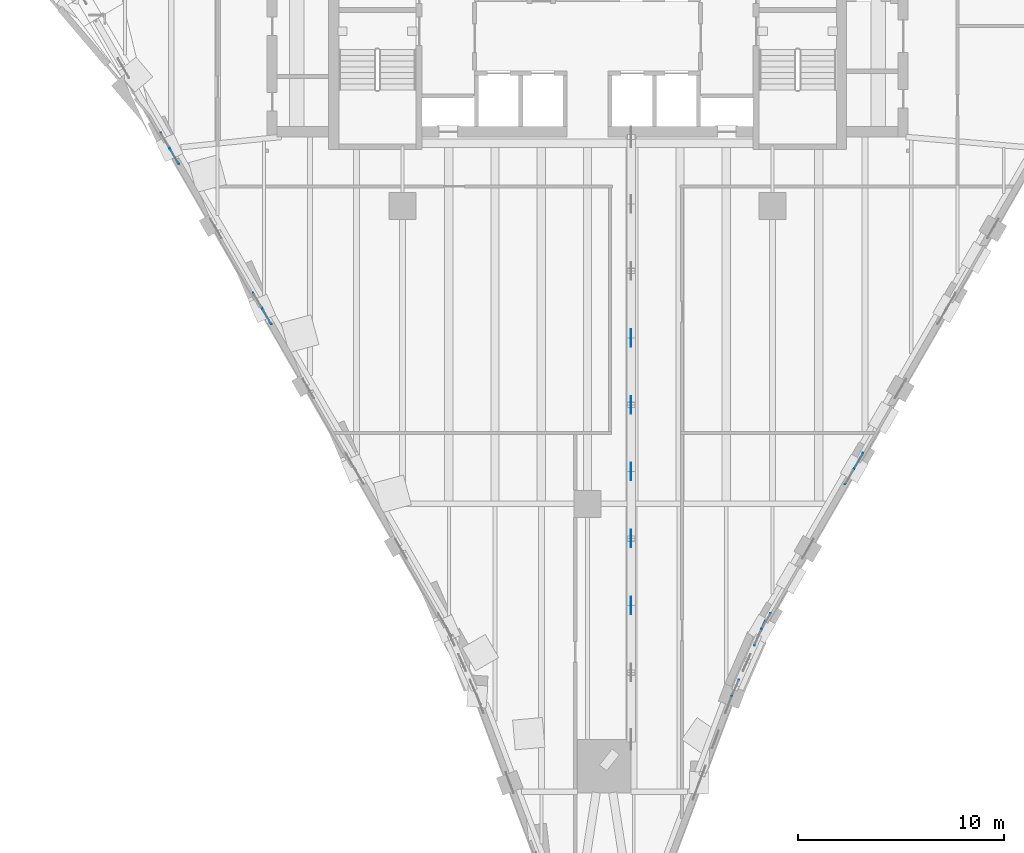
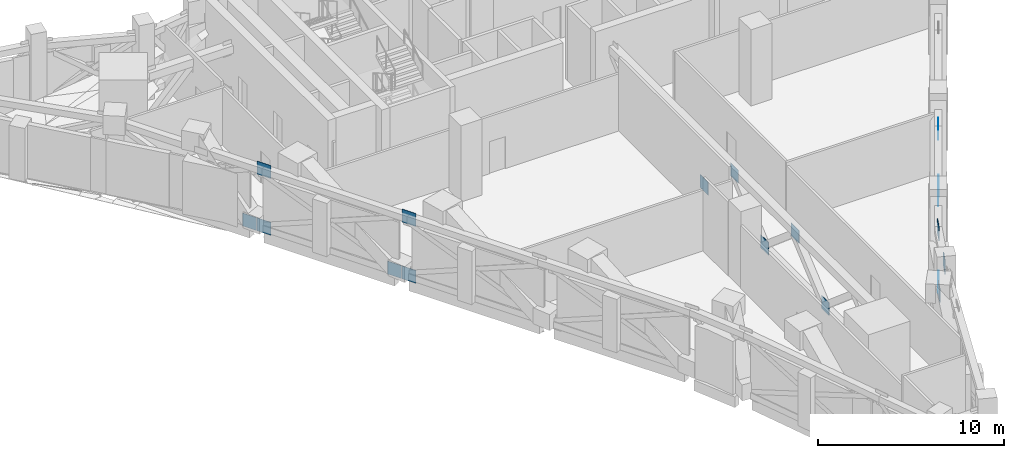
# One storey, part 14 of 22: 18 discrete accessories.
"""IFC4 building model written with IfcOpenShell, lengths in metres."""

import ifcopenshell
import ifcopenshell.guid

model = None  # the IFC model being written
_history = None  # IfcOwnerHistory: only IFC2X3 demands one
_inside = {}  # id of a spatial element -> (the spatial element, [elements in it])
_under = {}  # id of a project, library or spatial element -> (it, [spatial elements below it])
_declared = {}  # id of a project -> (the project, [libraries it declares])
_typed = {}  # id of a type object -> (the type object, [elements of that type])
_made_of = {}  # id of a material, layer set ... -> (it, [elements and type objects made of it])


def new_model(schema):
    """Start an empty IFC model of exactly this schema.

    Asked for "IFC4X3", IfcOpenShell would pick the latest addendum, in which some entities
    have other attributes; the version numbers below select the first issue.
    IFC2X3 requires an IfcOwnerHistory on every rooted entity: one is made here for all.
    """
    global model, _history
    if schema == "IFC4X3":
        model = ifcopenshell.file(schema_version=(4, 3, 0, 0))
    else:
        model = ifcopenshell.file(schema=schema)
    _inside.clear()
    _under.clear()
    _declared.clear()
    _typed.clear()
    _made_of.clear()
    _history = None
    if model.schema == "IFC2X3":
        org = make("IfcOrganization", Name="unknown")
        user = make(
            "IfcPersonAndOrganization",
            ThePerson=make("IfcPerson", FamilyName="unknown"),
            TheOrganization=org,
        )
        app = make(
            "IfcApplication",
            ApplicationDeveloper=org,
            Version="unknown",
            ApplicationFullName="unknown",
            ApplicationIdentifier="unknown",
        )
        _history = make(
            "IfcOwnerHistory",
            OwningUser=user,
            OwningApplication=app,
            ChangeAction="ADDED",
            CreationDate=0,
        )
    return model


def make(cls, **values):
    """One entity of the class cls with the attributes given. An attribute that is None is left unset."""
    return model.create_entity(
        cls, **{name: value for name, value in values.items() if value is not None}
    )


def rooted(cls, **values):
    """An entity with a GlobalId (a new one), such as an element, a storey or a relation."""
    return make(cls, GlobalId=ifcopenshell.guid.new(), OwnerHistory=_history, **values)


def si_unit(unit_type, name, prefix=None):
    """IfcSIUnit, for example si_unit("LENGTHUNIT", "METRE", prefix="MILLI")."""
    return make("IfcSIUnit", UnitType=unit_type, Prefix=prefix, Name=name)


def assignment(units):
    """IfcUnitAssignment: the units of a project."""
    return None if units is None else make("IfcUnitAssignment", Units=units)


def point(xyz):
    """IfcCartesianPoint."""
    return None if xyz is None else make("IfcCartesianPoint", Coordinates=xyz)


def direction(xyz):
    """IfcDirection."""
    return None if xyz is None else make("IfcDirection", DirectionRatios=xyz)


def frame(location, z_axis=None, x_axis=None):
    """IfcAxis2Placement3D, a coordinate frame: its origin and axes. An axis left out is left unset."""
    return make(
        "IfcAxis2Placement3D",
        Location=point(location),
        Axis=direction(z_axis),
        RefDirection=direction(x_axis),
    )


def frame_2d(location, x_axis=None):
    """IfcAxis2Placement2D, a coordinate frame in the plane: its origin and x axis."""
    return make(
        "IfcAxis2Placement2D", Location=point(location), RefDirection=direction(x_axis)
    )


def origin():
    """The frame at (0, 0, 0) with its axes left unset."""
    return frame((0.0, 0.0, 0.0))


def origin_2d():
    """The frame at (0, 0) in the plane with its x axis left unset."""
    return frame_2d((0.0, 0.0))


def place(relative_to, where):
    """IfcLocalPlacement: puts the frame where relative to a parent placement (None: the world)."""
    return make(
        "IfcLocalPlacement", PlacementRelTo=relative_to, RelativePlacement=where
    )


def context(
    kind, dimensions, precision=None, world=None, true_north=None, identifier=None
):
    """IfcGeometricRepresentationContext, for example the 3D "Model" context."""
    return make(
        "IfcGeometricRepresentationContext",
        ContextIdentifier=identifier,
        ContextType=kind,
        CoordinateSpaceDimension=dimensions,
        Precision=precision,
        WorldCoordinateSystem=world,
        TrueNorth=true_north,
    )


def subcontext(parent, identifier, kind, view, scale=None):
    """IfcGeometricRepresentationSubContext, for example "Body" below "Model"."""
    return make(
        "IfcGeometricRepresentationSubContext",
        ContextIdentifier=identifier,
        ContextType=kind,
        ParentContext=parent,
        TargetScale=scale,
        TargetView=view,
    )


def project(units=None, contexts=None):
    """IfcProject with its units and contexts."""
    return rooted(
        "IfcProject",
        Name="project",
        RepresentationContexts=contexts,
        UnitsInContext=assignment(units),
    )


def spatial(cls, under=None, at=None, **own):
    """A site, building, storey or space (cls), placed at a placement, below another one or the project."""
    s = rooted(cls, ObjectPlacement=at, **own)
    if under is not None:
        _under.setdefault(under.id(), (under, []))[1].append(s)
    return s


def profile(cls, at=None, kind="AREA", **sizes):
    """A parametric profile (cls). Its sizes go by their IFC names, for example OverallWidth=200.0."""
    return make(cls, ProfileType=kind, Position=at, **sizes)


def rectangle(**sizes):
    """IfcRectangleProfileDef."""
    return profile("IfcRectangleProfileDef", **sizes)


def extrude(swept, where, along, depth):
    """IfcExtrudedAreaSolid: the profile swept, set in the frame where, extruded along a direction by depth."""
    return make(
        "IfcExtrudedAreaSolid",
        SweptArea=swept,
        Position=where,
        ExtrudedDirection=direction(along),
        Depth=depth,
    )


def shape(context_of_items, identifier, shape_type, items):
    """IfcShapeRepresentation: the items that make up one representation, for example the "Body"."""
    return make(
        "IfcShapeRepresentation",
        ContextOfItems=context_of_items,
        RepresentationIdentifier=identifier,
        RepresentationType=shape_type,
        Items=items,
    )


def material(Name=None, Category=None):
    """IfcMaterial."""
    return make("IfcMaterial", Name=Name, Category=Category)


def made_of(thing, what):
    """Note that an element or type object is made of a material, layer set ...; save() writes the relation."""
    if what is not None:
        _made_of.setdefault(what.id(), (what, []))[1].append(thing)
    return thing


def type_object(cls, material=None, **own):
    """A type object (cls), such as IfcWallType, which elements share."""
    return made_of(rooted(cls, **own), material)


def element(
    cls,
    number,
    at=None,
    inside=None,
    cuts=None,
    type_object=None,
    material=None,
    context=None,
    identifier="Body",
    shape_type=None,
    held_by="IfcProductDefinitionShape",
    body=None,
    shapes=None,
    **own,
):
    """One element of the class cls, such as IfcWall. Its Tag is "e" and its number.

    at: its placement. inside: the storey or other place that contains it. cuts: it is an
    opening in that element (IfcRelVoidsElement). A single representation is given by context,
    identifier, shape_type and body (its items); several are given by shapes. held_by: the class
    of the entity that holds the representations. save() writes the other relations.
    """
    e = rooted(cls, Tag="e%d" % number, ObjectPlacement=at, **own)
    if body is not None:
        shapes = [shape(context, identifier, shape_type, body)]
    if shapes is not None:
        e.Representation = make(held_by, Representations=shapes)
    if inside is not None:
        _inside.setdefault(inside.id(), (inside, []))[1].append(e)
    if cuts is not None:
        rooted(
            "IfcRelVoidsElement", RelatingBuildingElement=cuts, RelatedOpeningElement=e
        )
    if type_object is not None:
        _typed.setdefault(type_object.id(), (type_object, []))[1].append(e)
    return made_of(e, material)


def aggregate(whole, parts):
    """IfcRelAggregates: a whole, such as a stair, and the parts it consists of."""
    return rooted("IfcRelAggregates", RelatingObject=whole, RelatedObjects=parts)


def save(model, path):
    """Write the relations noted so far, then the file.

    IfcRelAggregates (storeys below a building ...), IfcRelContainedInSpatialStructure (elements
    in a storey), IfcRelDefinesByType, IfcRelAssociatesMaterial and IfcRelDeclares: one each for
    every whole, place, type object, material and project.
    """
    for whole, parts in _under.values():
        aggregate(whole, parts)
    for where, things in _inside.values():
        rooted(
            "IfcRelContainedInSpatialStructure",
            RelatedElements=things,
            RelatingStructure=where,
        )
    for kind, things in _typed.values():
        rooted("IfcRelDefinesByType", RelatedObjects=things, RelatingType=kind)
    for what, things in _made_of.values():
        rooted("IfcRelAssociatesMaterial", RelatedObjects=things, RelatingMaterial=what)
    for by, libraries in _declared.values():
        rooted("IfcRelDeclares", RelatingContext=by, RelatedDefinitions=libraries)
    model.write(path)


model = new_model("IFC4")

# Units and contexts
model_context = context("Model", 3, precision=1e-05, world=origin(), true_north=direction((0.0, 1.0)))
body_context = subcontext(model_context, "Body", "Model", "MODEL_VIEW")
ifc_project = project(units=[si_unit("LENGTHUNIT", "METRE"), si_unit("AREAUNIT", "SQUARE_METRE"), si_unit("VOLUMEUNIT", "CUBIC_METRE"), si_unit("PLANEANGLEUNIT", "RADIAN"), si_unit("MASSUNIT", "GRAM", prefix="KILO")], contexts=[model_context])

# Site, building, storey
site_placement = place(None, origin())
site = spatial("IfcSite", under=ifc_project, at=site_placement, CompositionType="ELEMENT")
building_placement = place(site_placement, origin())
building = spatial("IfcBuilding", under=site, at=building_placement, Name="Calabash Gate Tower", CompositionType="ELEMENT")
storey_placement = place(building_placement, frame((0.0, 0.0, 191.39990234375)))
storey = spatial("IfcBuildingStorey", under=building, at=storey_placement, Name="L45", CompositionType="ELEMENT", Elevation=191.39990234375)

# Discrete accessories
ifc_material = material(Name="Steel ASTM A572 Gr50", Category="steel")
discrete_accessory_type = type_object("IfcDiscreteAccessoryType", Name="Connection plate 25", PredefinedType="BRACKET", material=ifc_material)
for number, where, z_axis, x_axis, name in (
    (1, (8.28759765625, -18.49560546875, -0.2216796875), (0.0, 0.0, 1.0), (0.406611890485, 0.913600990869, 0.0), "Connection plate Belt chord L45 36 end"),
    (2, (7.196533203125, -20.947265625, 3.501953125), (0.0, 0.0, 1.0), (0.406722245254, 0.91355186783, 0.0), "Connection plate Belt chord L45 37 start"),
    (3, (8.47412109375, -18.077880859375, 3.501953125), (0.0, 0.0, 1.0), (0.406722245254, 0.91355186783, 0.0), "Connection plate Belt chord L45 37 end"),
    (4, (8.69677734375, -17.692626953125, -0.2216796875), (0.0, 0.0, 1.0), (0.49999993954, 0.866025438691, 0.0), "Connection plate Belt chord L45 41 start"),
    (5, (12.74658203125, -10.677734375, -0.2216796875), (0.0, 0.0, 1.0), (0.49999993954, 0.866025438691, 0.0), "Connection plate Belt chord L45 41 end"),
    (6, (13.198974609375, -9.89404296875, 3.501953125), (0.0, 0.0, 1.0), (0.50000624248, 0.866021799657, 0.0), "Connection plate Belt chord L45 42 end"),
    (7, (13.19677734375, -9.898193359375, -0.2216796875), (0.0, 0.0, 1.0), (0.499999984885, 0.866025412511, 0.0), "Connection plate Belt chord L45 46 start"),
    (8, (-20.552978515625, 5.690185546875, -0.2216796875), (0.0, 0.0, 1.0), (0.49999996977, -0.866025421238, 0.0), "Connection plate Belt chord L45 91 end"),
    (9, (-20.10009765625, 4.906005859375, 3.501953125), (0.0, 0.0, 1.0), (0.500022279337, -0.866012540421, 0.0), "Connection plate Belt chord L45 92 end"),
    (10, (-20.10302734375, 4.91064453125, -0.2216796875), (0.0, 0.0, 1.0), (0.499999984885, -0.866025412511, 0.0), "Connection plate Belt chord L45 96 start"),
    (11, (-16.052978515625, -2.10400390625, -0.2216796875), (0.0, 0.0, 1.0), (0.499999984885, -0.866025412511, 0.0), "Connection plate Belt chord L45 96 end"),
    (12, (-15.60009765625, -2.887939453125, 3.501953125), (0.0, 0.0, 1.0), (0.500033237505, -0.866006213251, 0.0), "Connection plate Belt chord L45 97 end"),
    (13, (-15.60302734375, -2.883544921875, -0.2216796875), (0.0, 0.0, 1.0), (0.49999993954, -0.866025438691, 0.0), "Connection plate Belt chord L45 101 start"),
    (14, (2.121826171875, -16.947998046875, 0.0830078125), (0.0, 0.0, 1.0), (0.0, 1.0, 0.0), "Connection plate Outrigger diagonal L45 S end"),
    (15, (2.121826171875, -13.69091796875, 2.84716796875), (0.0, 0.0, 1.0), (0.0, 1.0, 0.0), "Connection plate Outrigger diagonal L45 S end"),
    (16, (2.121826171875, -10.43359375, 0.0830078125), (0.0, 0.0, 1.0), (0.0, 1.0, 0.0), "Connection plate Outrigger diagonal L45 S end"),
    (17, (2.121826171875, -7.17626953125, 2.84716796875), (0.0, 0.0, 1.0), (0.0, 1.0, 0.0), "Connection plate Outrigger diagonal L45 S end"),
    (18, (2.121826171875, -3.919189453125, 0.0830078125), (0.0, 0.0, 1.0), (0.0, 1.0, 0.0), "Connection plate Outrigger diagonal L45 S end"),
):
    element("IfcDiscreteAccessory", number, at=place(storey_placement, frame(where, z_axis=z_axis, x_axis=x_axis)), inside=storey, type_object=discrete_accessory_type, Name=name, PredefinedType="BRACKET", context=body_context, shape_type="SweptSolid", body=[
        extrude(rectangle(XDim=0.850341796875, YDim=0.02490234375, at=origin_2d()), origin(), (0.0, 0.0, 1.0), 0.850341796875),
    ])

save(model, "model.ifc")
